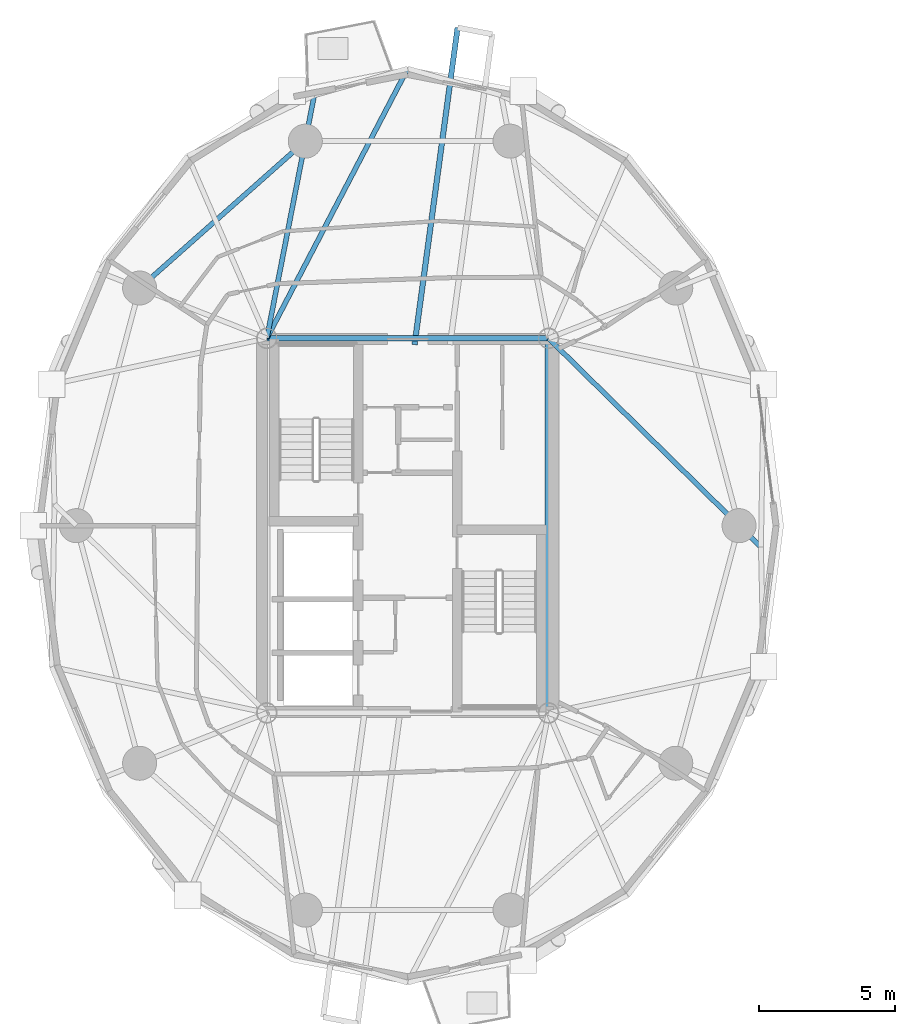
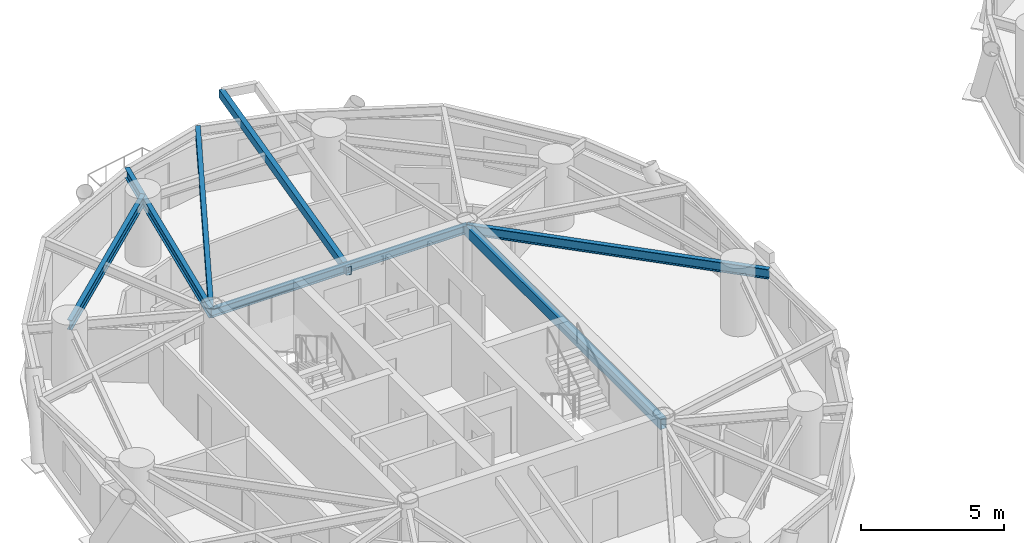
# One storey, part 2 of 18: 7 beams.
"""IFC4 building model written with IfcOpenShell, lengths in metres."""

from ifc_helpers import new_model, si_unit, direction, frame, origin, origin_2d, place, context, subcontext, project, spatial, hollow_rectangle, i_section, extrude, material, material_profile, profile_set, type_object, element, save


model = new_model("IFC4")

# Units and contexts
model_context = context("Model", 3, precision=1e-05, world=origin(), true_north=direction((0.0, 1.0)))
body_context = subcontext(model_context, "Body", "Model", "MODEL_VIEW")
ifc_project = project(units=[si_unit("LENGTHUNIT", "METRE"), si_unit("AREAUNIT", "SQUARE_METRE"), si_unit("VOLUMEUNIT", "CUBIC_METRE"), si_unit("PLANEANGLEUNIT", "RADIAN"), si_unit("MASSUNIT", "GRAM", prefix="KILO")], contexts=[model_context])

# Site, building, storey
site_placement = place(None, origin())
site = spatial("IfcSite", under=ifc_project, at=site_placement, CompositionType="ELEMENT")
building_placement = place(site_placement, origin())
building = spatial("IfcBuilding", under=site, at=building_placement, Name="Cununo Teusaquillo Station Towers", CompositionType="ELEMENT")
storey_placement = place(building_placement, frame((0.0, 0.0, 169.06005859375)))
storey = spatial("IfcBuildingStorey", under=building, at=storey_placement, Name="L53", CompositionType="ELEMENT", Elevation=169.06005859375)

# Beams
ifc_material_1 = material(Name="Steel EN 10025-2 S355J2", Category="steel")
ifc_material_profile_1 = material_profile(ifc_material_1, hollow_rectangle(XDim=0.199951171875, YDim=0.35009765625, WallThickness=0.013916015625, at=origin_2d()), Name="RHS 350x200x14")
ifc_profile_set_1 = profile_set([ifc_material_profile_1], Name="Steel EN 10025-2 S355J2")
beam_type_1 = type_object("IfcBeamType", Name="BM-BAL-CANT", PredefinedType="BEAM", material=ifc_profile_set_1)
beam_1_placement = place(storey_placement, frame((16.751953125, 31.14990234375, 2.514892578125), z_axis=(0.134615370715, 0.990897927118, 0.0), x_axis=(-0.990897927118, 0.134615370715, 0.0)))
element("IfcBeam", 1, at=beam_1_placement, inside=storey, type_object=beam_type_1, Name="L53 Tower A Balcony Cantilever Bracket 1B", PredefinedType="BEAM", context=body_context, shape_type="SweptSolid", body=[
    extrude(hollow_rectangle(XDim=0.199951171875, YDim=0.35009765625, WallThickness=0.013916015625, at=origin_2d()), origin(), (0.0, 0.0, 1.0), 11.752197265625),
])
ifc_material_2 = material(Name="Steel EN 10025-2 S355J2", Category="steel")
ifc_material_profile_2 = material_profile(ifc_material_2, hollow_rectangle(XDim=0.25, YDim=0.449951171875, WallThickness=0.01611328125, at=origin_2d()), Name="RHS 450x250x16")
ifc_profile_set_2 = profile_set([ifc_material_profile_2], Name="Steel EN 10025-2 S355J2")
beam_type_2 = type_object("IfcBeamType", Name="BM-COUP-1", PredefinedType="USERDEFINED", material=ifc_profile_set_2)
beam_2_placement = place(storey_placement, frame((21.675048828125, 17.6201171875, 2.46484375), z_axis=(0.0, 1.0, 0.0), x_axis=(-1.0, 0.0, 0.0)))
element("IfcBeam", 2, at=beam_2_placement, inside=storey, type_object=beam_type_2, Name="L53 Tower A Core Beam 2", ObjectType="COUPLING BEAM", PredefinedType="USERDEFINED", context=body_context, shape_type="SweptSolid", body=[
    extrude(hollow_rectangle(XDim=0.25, YDim=0.449951171875, WallThickness=0.01611328125, at=origin_2d()), origin(), (0.0, 0.0, 1.0), 13.759765625),
])
ifc_material_3 = material(Name="Steel ASTM A572 Grade 50", Category="steel")
ifc_material_profile_3 = material_profile(ifc_material_3, i_section(OverallWidth=0.180908203125, OverallDepth=0.4169921875, WebThickness=0.010986328125, FlangeThickness=0.018310546875, FilletRadius=0.012939453125, at=origin_2d()), Name="W16X57")
ifc_profile_set_3 = profile_set([ifc_material_profile_3], Name="Steel ASTM A572 Grade 50")
beam_type_3 = type_object("IfcBeamType", Name="BM-JOIST-1", PredefinedType="JOIST", material=ifc_profile_set_3)
beam_3_placement = place(storey_placement, frame((11.324951171875, 31.3798828125, 2.4814453125), z_axis=(0.462884645231, 0.886418527113, 0.0), x_axis=(-0.886418527113, 0.462884645231, 0.0)))
element("IfcBeam", 3, at=beam_3_placement, inside=storey, type_object=beam_type_3, Name="L53 Tower A Radial Spandrel Joist V05", PredefinedType="JOIST", context=body_context, shape_type="SweptSolid", body=[
    extrude(i_section(OverallWidth=0.180908203125, OverallDepth=0.4169921875, WebThickness=0.010986328125, FlangeThickness=0.018310546875, FilletRadius=0.012939453125, at=origin_2d()), origin(), (0.0, 0.0, 1.0), 11.179931640625),
])
ifc_material_4 = material(Name="Steel ASTM A572 Grade 50", Category="steel")
ifc_material_profile_4 = material_profile(ifc_material_4, i_section(OverallWidth=0.2041015625, OverallDepth=0.35009765625, WebThickness=0.008544921875, FlangeThickness=0.01513671875, FilletRadius=0.011962890625, at=origin_2d()), Name="W14X48")
ifc_profile_set_4 = profile_set([ifc_material_profile_4], Name="Steel ASTM A572 Grade 50")
beam_type_4 = type_object("IfcBeamType", Name="BM-LINTEL-1", PredefinedType="LINTEL", material=ifc_profile_set_4)
beam_4_placement = place(storey_placement, frame((11.324951171875, 31.3798828125, 2.514892578125), z_axis=(1.0, 0.0, 0.0), x_axis=(0.0, 1.0, 0.0)))
element("IfcBeam", 4, at=beam_4_placement, inside=storey, type_object=beam_type_4, Name="L53 Tower A Core Beam 4", PredefinedType="LINTEL", context=body_context, shape_type="SweptSolid", body=[
    extrude(i_section(OverallWidth=0.2041015625, OverallDepth=0.35009765625, WebThickness=0.008544921875, FlangeThickness=0.01513671875, FilletRadius=0.011962890625, at=origin_2d()), origin(), (0.0, 0.0, 1.0), 10.35009765625),
])
ifc_material_5 = material(Name="Steel ASTM A572 Grade 50", Category="steel")
ifc_material_profile_5 = material_profile(ifc_material_5, i_section(OverallWidth=0.180908203125, OverallDepth=0.4169921875, WebThickness=0.010986328125, FlangeThickness=0.018310546875, FilletRadius=0.012939453125, at=origin_2d()), Name="W16X57")
ifc_profile_set_5 = profile_set([ifc_material_profile_5], Name="Steel ASTM A572 Grade 50")
beam_type_5 = type_object("IfcBeamType", Name="BM-RAD-G2", PredefinedType="BEAM", material=ifc_profile_set_5)
beam_5_placement = place(storey_placement, frame((21.675048828125, 31.3798828125, 2.4814453125), z_axis=(0.713051946152, -0.701111205223, 0.0), x_axis=(0.701111205223, 0.713051946152, 0.0)))
element("IfcBeam", 5, at=beam_5_placement, inside=storey, type_object=beam_type_5, Name="L53 Tower A Continuous Overhanging Radial Girder 01", PredefinedType="BEAM", context=body_context, shape_type="SweptSolid", body=[
    extrude(i_section(OverallWidth=0.180908203125, OverallDepth=0.4169921875, WebThickness=0.010986328125, FlangeThickness=0.018310546875, FilletRadius=0.012939453125, at=origin_2d()), origin(), (0.0, 0.0, 1.0), 10.938720703125),
])
beam_6_placement = place(storey_placement, frame((11.324951171875, 31.3798828125, 2.4814453125), z_axis=(0.191557018874, 0.981481486591, 0.0), x_axis=(-0.981481486591, 0.191557018874, 0.0)))
element("IfcBeam", 6, at=beam_6_placement, inside=storey, type_object=beam_type_5, Name="L53 Tower A Continuous Overhanging Radial Girder 04", PredefinedType="BEAM", context=body_context, shape_type="SweptSolid", body=[
    extrude(i_section(OverallWidth=0.180908203125, OverallDepth=0.4169921875, WebThickness=0.010986328125, FlangeThickness=0.018310546875, FilletRadius=0.012939453125, at=origin_2d()), origin(), (0.0, 0.0, 1.0), 9.097412109375),
])
ifc_material_6 = material(Name="Steel ASTM A572 Grade 50", Category="steel")
ifc_material_profile_6 = material_profile(ifc_material_6, i_section(OverallWidth=0.180908203125, OverallDepth=0.4169921875, WebThickness=0.010986328125, FlangeThickness=0.018310546875, FilletRadius=0.012939453125, at=origin_2d()), Name="W16X57")
ifc_profile_set_6 = profile_set([ifc_material_profile_6], Name="Steel ASTM A572 Grade 50")
beam_type_6 = type_object("IfcBeamType", Name="BM-RING-Z3", PredefinedType="SPANDREL", material=ifc_profile_set_6)
beam_7_placement = place(storey_placement, frame((12.738525390625, 38.623291015625, 2.4814453125), z_axis=(-0.74832120039, -0.66333655187, 0.0), x_axis=(0.66333655187, -0.74832120039, 0.0)))
element("IfcBeam", 7, at=beam_7_placement, inside=storey, type_object=beam_type_6, Name="L53 Tower A Structural Column Ring Girder 04", PredefinedType="SPANDREL", context=body_context, shape_type="SweptSolid", body=[
    extrude(i_section(OverallWidth=0.180908203125, OverallDepth=0.4169921875, WebThickness=0.010986328125, FlangeThickness=0.018310546875, FilletRadius=0.012939453125, at=origin_2d()), origin(), (0.0, 0.0, 1.0), 8.1328125),
])

save(model, "model.ifc")
